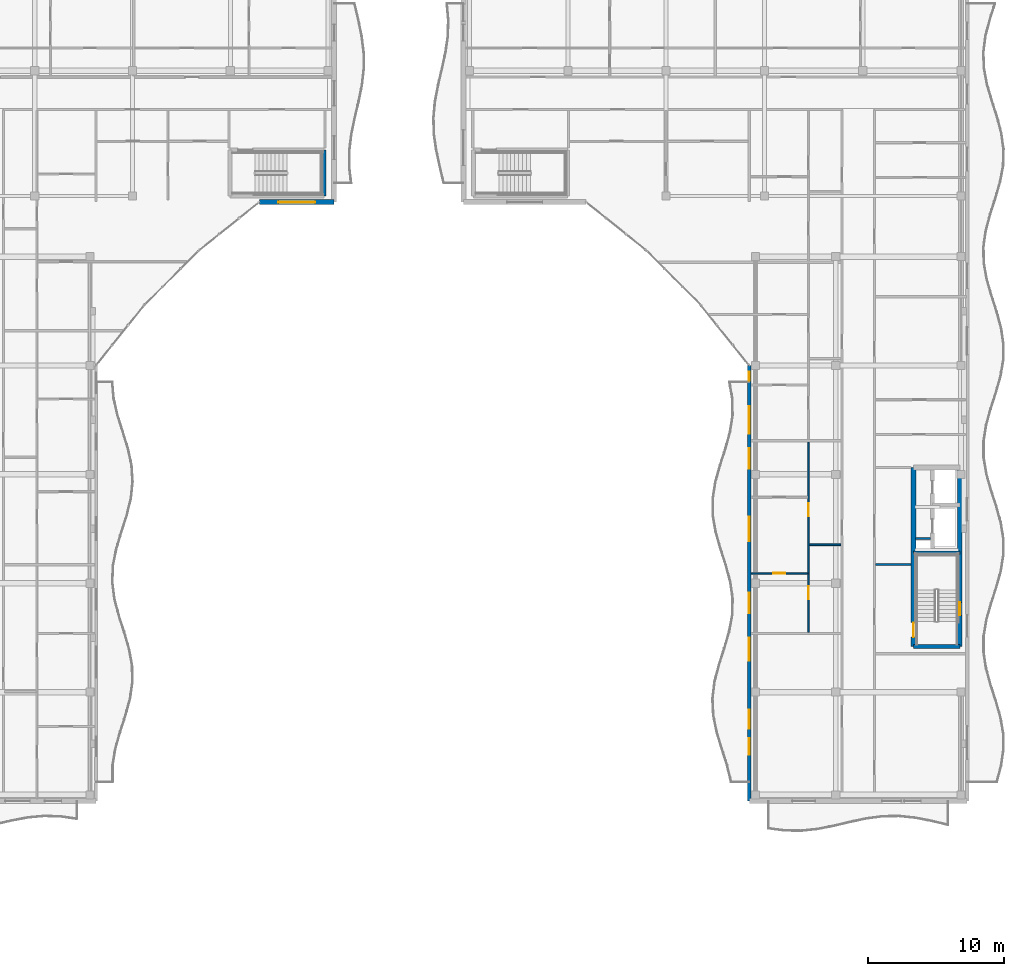
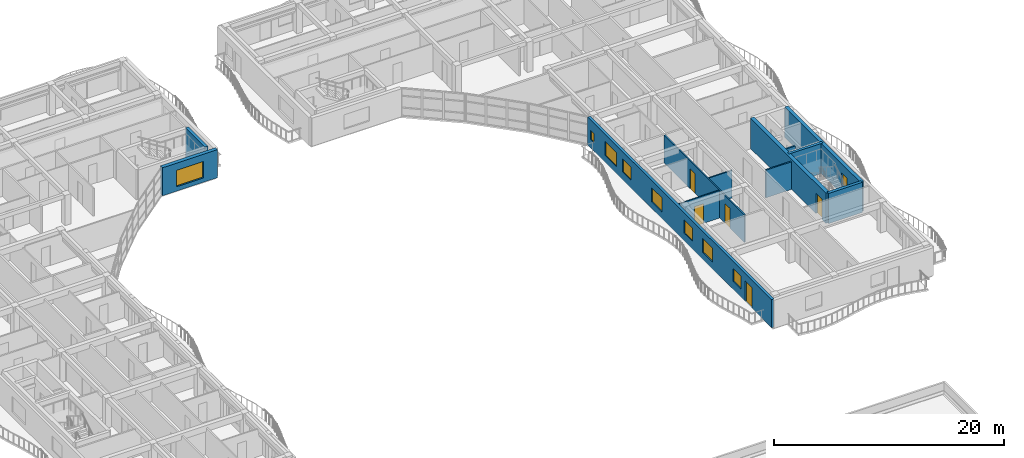
# One storey, part 50 of 79: 12 walls, 9 windows, 5 doors, 14 openings.
"""IFC4 building model written with IfcOpenShell, lengths in metres."""

from ifc_helpers import new_model, si_unit, direction, frame, frame_2d, origin, place, context, subcontext, project, spatial, rectangle, extrude, material, layer, layer_set, type_object, element, fill, save


model = new_model("IFC4")

# Units and contexts
model_context = context("Model", 3, precision=1e-05, world=origin(), true_north=direction((0.0, 1.0)))
body_context = subcontext(model_context, "Body", "Model", "MODEL_VIEW")
ifc_project = project(units=[si_unit("LENGTHUNIT", "METRE"), si_unit("AREAUNIT", "SQUARE_METRE"), si_unit("VOLUMEUNIT", "CUBIC_METRE"), si_unit("PLANEANGLEUNIT", "RADIAN"), si_unit("MASSUNIT", "GRAM", prefix="KILO")], contexts=[model_context])

# Site, building, storey
site_placement = place(None, origin())
site = spatial("IfcSite", under=ifc_project, at=site_placement, CompositionType="ELEMENT")
building_placement = place(site_placement, origin())
building = spatial("IfcBuilding", under=site, at=building_placement, Name="Keldmere Railside Commons", CompositionType="ELEMENT")
storey_placement = place(building_placement, frame((0.0, 0.0, 10.56005859375)))
storey = spatial("IfcBuildingStorey", under=building, at=storey_placement, Name="L03", CompositionType="ELEMENT", Elevation=10.56005859375)

# Wall, openings, doors
ifc_material_1 = material(Name="Acoustic Gypsum Board Partition", Category="gypsum")
ifc_layer_1 = layer(ifc_material_1, 0.1201171875, Name="Apartment Interior Partition 120")
ifc_layer_set_1 = layer_set([ifc_layer_1], Name="Acoustic Gypsum Board Partition")
wall_type_1 = type_object("IfcWallType", Name="Apartment Interior Partition 120", PredefinedType="PARTITIONING", material=ifc_layer_set_1)
wall_1_placement = place(storey_placement, frame((172.340087890625, 68.39990234375, 0.0), z_axis=(0.0, 0.0, 1.0), x_axis=(0.0, 1.0, 0.0)))
wall_1 = element("IfcWall", 1, at=wall_1_placement, inside=storey, type_object=wall_type_1, Name="IW-4 IW-L03-1520", PredefinedType="PARTITIONING", context=body_context, shape_type="SweptSolid", body=[
    extrude(rectangle(XDim=13.97021484375, YDim=0.1201171875, at=frame_2d((6.985107421875, 0.0))), origin(), (0.0, 0.0, 1.0), 2.93505859375),
])
opening_1_placement = place(wall_1_placement, frame((2.443359375, 0.0, 0.0)))
opening_1 = element("IfcOpeningElement", 2, at=opening_1_placement, cuts=wall_1, Name="Opening ID-05", PredefinedType="OPENING", context=body_context, shape_type="SweptSolid", body=[
    extrude(rectangle(XDim=0.93994140625, YDim=2.10009765625, at=frame_2d((0.469970703125, 1.050048828125))), frame((0.0, 0.070068359375, 0.0), z_axis=(0.0, -1.0, 0.0), x_axis=(1.0, 0.0, 0.0)), (0.0, 0.0, 1.0), 0.14013671875),
])
opening_2_placement = place(wall_1_placement, frame((8.541259765625, 0.0, 0.0)))
opening_2 = element("IfcOpeningElement", 3, at=opening_2_placement, cuts=wall_1, Name="Opening ID-03", PredefinedType="OPENING", context=body_context, shape_type="SweptSolid", body=[
    extrude(rectangle(XDim=0.919921875, YDim=2.10009765625, at=frame_2d((0.4599609375, 1.050048828125))), frame((0.0, 0.070068359375, 0.0), z_axis=(0.0, -1.0, 0.0), x_axis=(1.0, 0.0, 0.0)), (0.0, 0.0, 1.0), 0.14013671875),
])
ifc_material_2 = material(Name="Engineered Oak Timber", Category="wood")
door_type_1 = type_object("IfcDoorType", Name="Accessible Bathroom Door 940x2100", OperationType="NOTDEFINED", PredefinedType="DOOR", material=ifc_material_2)
door_1_placement = place(opening_1_placement, origin())
door_1 = element("IfcDoor", 4, at=door_1_placement, inside=storey, type_object=door_type_1, Name="ID-05 IDR-L03-1363", OperationType="SINGLE_SWING_LEFT", OverallHeight=2.10009765625, OverallWidth=0.93994140625, PredefinedType="DOOR", context=body_context, shape_type="SweptSolid", body=[
    extrude(rectangle(XDim=0.93994140625, YDim=2.10009765625, at=frame_2d((0.469970703125, 1.050048828125))), frame((0.0, 0.02490234375, 0.0), z_axis=(0.0, -1.0, 0.0), x_axis=(1.0, 0.0, 0.0)), (0.0, 0.0, 1.0), 0.050048828125),
])
fill(opening_1, door_1)
door_type_2 = type_object("IfcDoorType", Name="Kitchen Pocket-Frame Swing Door 920x2100", OperationType="NOTDEFINED", PredefinedType="DOOR", material=ifc_material_2)
door_2_placement = place(opening_2_placement, origin())
door_2 = element("IfcDoor", 5, at=door_2_placement, inside=storey, type_object=door_type_2, Name="ID-03 IDR-L03-1364", OperationType="SINGLE_SWING_RIGHT", OverallHeight=2.10009765625, OverallWidth=0.919921875, PredefinedType="DOOR", context=body_context, shape_type="SweptSolid", body=[
    extrude(rectangle(XDim=0.919921875, YDim=2.10009765625, at=frame_2d((0.4599609375, 1.050048828125))), frame((0.0, 0.02490234375, 0.0), z_axis=(0.0, -1.0, 0.0), x_axis=(1.0, 0.0, 0.0)), (0.0, 0.0, 1.0), 0.050048828125),
])
fill(opening_2, door_2)

# Wall, opening, door
wall_2_placement = place(storey_placement, frame((168.1298828125, 72.72998046875, 0.0), z_axis=(0.0, 0.0, 1.0), x_axis=(1.0, 0.0, 0.0)))
wall_2 = element("IfcWall", 6, at=wall_2_placement, inside=storey, type_object=wall_type_1, Name="IW-4 IW-L03-1522", PredefinedType="PARTITIONING", context=body_context, shape_type="SweptSolid", body=[
    extrude(rectangle(XDim=4.150146484375, YDim=0.1201171875, at=frame_2d((2.0751953125, 0.0))), origin(), (0.0, 0.0, 1.0), 2.93505859375),
])
opening_3_placement = place(wall_2_placement, frame((1.625, 0.0, 0.0)))
opening_3 = element("IfcOpeningElement", 7, at=opening_3_placement, cuts=wall_2, Name="Opening ID-01", PredefinedType="OPENING", context=body_context, shape_type="SweptSolid", body=[
    extrude(rectangle(XDim=0.89990234375, YDim=2.10009765625, at=frame_2d((0.449951171875, 1.050048828125))), frame((0.0, 0.070068359375, 0.0), z_axis=(0.0, -1.0, 0.0), x_axis=(1.0, 0.0, 0.0)), (0.0, 0.0, 1.0), 0.14013671875),
])
door_type_3 = type_object("IfcDoorType", Name="Primary Bedroom Door 900x2100", OperationType="NOTDEFINED", PredefinedType="DOOR", material=ifc_material_2)
door_3_placement = place(opening_3_placement, origin())
door_3 = element("IfcDoor", 8, at=door_3_placement, inside=storey, type_object=door_type_3, Name="ID-01 IDR-L03-1366", OperationType="SINGLE_SWING_RIGHT", OverallHeight=2.10009765625, OverallWidth=0.89990234375, PredefinedType="DOOR", context=body_context, shape_type="SweptSolid", body=[
    extrude(rectangle(XDim=0.89990234375, YDim=2.10009765625, at=frame_2d((0.449951171875, 1.050048828125))), frame((0.0, 0.02490234375, 0.0), z_axis=(0.0, -1.0, 0.0), x_axis=(1.0, 0.0, 0.0)), (0.0, 0.0, 1.0), 0.050048828125),
])
fill(opening_3, door_3)

# Wall
ifc_material_3 = material(Name="Concrete H-35 (C35/45)", Category="concrete")
ifc_layer_2 = layer(ifc_material_3, 0.280029296875, Name="Core Shear Wall 280")
ifc_layer_set_2 = layer_set([ifc_layer_2], Name="Concrete H-35 (C35/45)")
wall_type_2 = type_object("IfcWallType", Name="Core Shear Wall 280", PredefinedType="SHEAR", material=ifc_layer_set_2)
wall_3_placement = place(storey_placement, frame((180.06005859375, 74.239990234375, 0.0), z_axis=(0.0, 0.0, 1.0), x_axis=(1.0, 0.0, 0.0)))
element("IfcWall", 9, at=wall_3_placement, inside=storey, type_object=wall_type_2, Name="CSW-2 COREAM-L03-0748", PredefinedType="SHEAR", context=body_context, shape_type="SweptSolid", body=[
    extrude(rectangle(XDim=3.409912109375, YDim=0.280029296875, at=frame_2d((1.705078125, 0.0))), origin(), (0.0, 0.0, 1.0), 3.199951171875),
])

# Wall, opening, door
ifc_material_4 = material(Name="Concrete H-40 (C40/50)", Category="concrete")
ifc_layer_3 = layer(ifc_material_4, 0.3798828125, Name="Core Shear Wall 380")
ifc_layer_set_3 = layer_set([ifc_layer_3], Name="Concrete H-40 (C40/50)")
wall_type_3 = type_object("IfcWallType", Name="Core Shear Wall 380", PredefinedType="SHEAR", material=ifc_layer_set_3)
wall_4_placement = place(storey_placement, frame((180.06005859375, 67.35009765625, 0.0), z_axis=(0.0, 0.0, 1.0), x_axis=(0.0, 1.0, 0.0)))
wall_4 = element("IfcWall", 10, at=wall_4_placement, inside=storey, type_object=wall_type_3, Name="CW-CORE COREAW-L03-0744", PredefinedType="SHEAR", context=body_context, shape_type="SweptSolid", body=[
    extrude(rectangle(XDim=13.14990234375, YDim=0.3798828125, at=frame_2d((6.574951171875, 0.0))), origin(), (0.0, 0.0, 1.0), 3.199951171875),
])
opening_4_placement = place(wall_4_placement, frame((0.699951171875, 0.0, 0.0)))
opening_4 = element("IfcOpeningElement", 11, at=opening_4_placement, cuts=wall_4, Name="Opening FD-1", PredefinedType="OPENING", context=body_context, shape_type="SweptSolid", body=[
    extrude(rectangle(XDim=1.050048828125, YDim=2.14990234375, at=frame_2d((0.52490234375, 1.074951171875))), frame((0.0, 0.199951171875, 0.0), z_axis=(0.0, -1.0, 0.0), x_axis=(1.0, 0.0, 0.0)), (0.0, 0.0, 1.0), 0.39990234375),
])
ifc_material_5 = material(Name="Steel F-24 (S235)", Category="steel")
door_type_4 = type_object("IfcDoorType", Name="Stair Core Fire Door 1050x2150", OperationType="NOTDEFINED", PredefinedType="DOOR", material=ifc_material_5)
door_4_placement = place(opening_4_placement, origin())
door_4 = element("IfcDoor", 12, at=door_4_placement, inside=storey, type_object=door_type_4, Name="FD-1 A1 L03", OperationType="SINGLE_SWING_LEFT", OverallHeight=2.14990234375, OverallWidth=1.050048828125, PredefinedType="DOOR", context=body_context, shape_type="SweptSolid", body=[
    extrude(rectangle(XDim=1.050048828125, YDim=2.14990234375, at=frame_2d((0.52490234375, 1.074951171875))), frame((0.0, 0.02490234375, 0.0), z_axis=(0.0, -1.0, 0.0), x_axis=(1.0, 0.0, 0.0)), (0.0, 0.0, 1.0), 0.050048828125),
])
fill(opening_4, door_4)

# Wall, opening, window
ifc_layer_4 = layer(ifc_material_3, 0.360107421875, Name="Exterior Shear Wall 360")
ifc_layer_set_4 = layer_set([ifc_layer_4], Name="Concrete H-35 (C35/45)")
wall_type_4 = type_object("IfcWallType", Name="Exterior Shear Wall 360", PredefinedType="SHEAR", material=ifc_layer_set_4)
wall_5_placement = place(storey_placement, frame((137.5, 100.0, 0.0), z_axis=(0.0, 0.0, 1.0), x_axis=(-1.0, 0.0, 0.0)))
wall_5 = element("IfcWall", 13, at=wall_5_placement, inside=storey, type_object=wall_type_4, Name="ESW-1 EXTB-L03-0604", PredefinedType="SHEAR", context=body_context, shape_type="SweptSolid", body=[
    extrude(rectangle(XDim=5.5, YDim=0.360107421875, at=frame_2d((2.75, 0.0))), origin(), (0.0, 0.0, 1.0), 2.97998046875),
])
opening_5_placement = place(wall_5_placement, frame((1.39990234375, 0.0, 0.469970703125)))
opening_5 = element("IfcOpeningElement", 14, at=opening_5_placement, cuts=wall_5, Name="Opening WN-19", PredefinedType="OPENING", context=body_context, shape_type="SweptSolid", body=[
    extrude(rectangle(XDim=2.699951171875, YDim=1.75, at=frame_2d((1.35009765625, 0.875))), frame((0.0, 0.18994140625, 0.0), z_axis=(0.0, -1.0, 0.0), x_axis=(1.0, 0.0, 0.0)), (0.0, 0.0, 1.0), 0.380126953125),
])
ifc_material_6 = material(Name="Low-E Insulated Double Glazing", Category="glass")
window_type_1 = type_object("IfcWindowType", Name="Resident Lounge Panorama Window 2700x1750", PartitioningType="SINGLE_PANEL", PredefinedType="WINDOW", material=ifc_material_6)
window_1_placement = place(opening_5_placement, origin())
window_1 = element("IfcWindow", 15, at=window_1_placement, inside=storey, type_object=window_type_1, Name="WN-19 WIN-L03-0405", OverallHeight=1.75, OverallWidth=2.699951171875, PartitioningType="SINGLE_PANEL", PredefinedType="WINDOW", context=body_context, shape_type="SweptSolid", body=[
    extrude(rectangle(XDim=2.699951171875, YDim=1.75, at=frame_2d((1.35009765625, 0.875))), frame((0.0, 0.030029296875, 0.0), z_axis=(0.0, -1.0, 0.0), x_axis=(1.0, 0.0, 0.0)), (0.0, 0.0, 1.0), 0.06005859375),
])
fill(opening_5, window_1)

# Walls
ifc_layer_5 = layer(ifc_material_3, 0.300048828125, Name="Interior Shear Wall 300")
ifc_layer_set_5 = layer_set([ifc_layer_5], Name="Concrete H-35 (C35/45)")
wall_type_5 = type_object("IfcWallType", Name="Interior Shear Wall 300", PredefinedType="SHEAR", material=ifc_layer_set_5)
wall_6_placement = place(storey_placement, frame((136.75, 100.449951171875, 0.0), z_axis=(0.0, 0.0, 1.0), x_axis=(0.0, 1.0, 0.0)))
element("IfcWall", 16, at=wall_6_placement, inside=storey, type_object=wall_type_5, Name="ISW-2 COREB2E-L03-0479", PredefinedType="SHEAR", context=body_context, shape_type="SweptSolid", body=[
    extrude(rectangle(XDim=3.3701171875, YDim=0.300048828125, at=frame_2d((1.68505859375, 0.0))), origin(), (0.0, 0.0, 1.0), 3.199951171875),
])
wall_7_placement = place(storey_placement, frame((183.469970703125, 67.35009765625, 0.0), z_axis=(0.0, 0.0, 1.0), x_axis=(-1.0, 0.0, 0.0)))
element("IfcWall", 17, at=wall_7_placement, inside=storey, type_object=wall_type_5, Name="ISW-2 COREAS-L03-0747", PredefinedType="SHEAR", context=body_context, shape_type="SweptSolid", body=[
    extrude(rectangle(XDim=3.409912109375, YDim=0.300048828125, at=frame_2d((1.705078125, 0.0))), origin(), (0.0, 0.0, 1.0), 3.199951171875),
])

# Wall, opening, window
ifc_layer_6 = layer(ifc_material_3, 0.340087890625, Name="Interior Shear Wall 340")
ifc_layer_set_6 = layer_set([ifc_layer_6], Name="Concrete H-35 (C35/45)")
wall_type_6 = type_object("IfcWallType", Name="Interior Shear Wall 340", PredefinedType="SHEAR", material=ifc_layer_set_6)
wall_8_placement = place(storey_placement, frame((183.469970703125, 80.5, 0.0), z_axis=(0.0, 0.0, 1.0), x_axis=(0.0, -1.0, 0.0)))
wall_8 = element("IfcWall", 18, at=wall_8_placement, inside=storey, type_object=wall_type_6, Name="ISW-1 COREAE-L03-0746", PredefinedType="SHEAR", context=body_context, shape_type="SweptSolid", body=[
    extrude(rectangle(XDim=13.14990234375, YDim=0.340087890625, at=frame_2d((6.574951171875, 0.0))), origin(), (0.0, 0.0, 1.0), 3.199951171875),
])
opening_6_placement = place(wall_8_placement, frame((9.89990234375, 0.0, 0.969970703125)))
opening_6 = element("IfcOpeningElement", 19, at=opening_6_placement, cuts=wall_8, Name="Opening WN-17", PredefinedType="OPENING", context=body_context, shape_type="SweptSolid", body=[
    extrude(rectangle(XDim=0.949951171875, YDim=1.25, at=frame_2d((0.47509765625, 0.625))), frame((0.0, 0.179931640625, 0.0), z_axis=(0.0, -1.0, 0.0), x_axis=(1.0, 0.0, 0.0)), (0.0, 0.0, 1.0), 0.360107421875),
])
window_type_2 = type_object("IfcWindowType", Name="Stair Core Natural Smoke-Vent Window 950x1250", PartitioningType="SINGLE_PANEL", PredefinedType="WINDOW", material=ifc_material_6)
window_2_placement = place(opening_6_placement, origin())
window_2 = element("IfcWindow", 20, at=window_2_placement, inside=storey, type_object=window_type_2, Name="WN-17 WIN-L03-0559", OverallHeight=1.25, OverallWidth=0.949951171875, PartitioningType="SINGLE_PANEL", PredefinedType="WINDOW", context=body_context, shape_type="SweptSolid", body=[
    extrude(rectangle(XDim=0.949951171875, YDim=1.25, at=frame_2d((0.47509765625, 0.625))), frame((0.0, 0.030029296875, 0.0), z_axis=(0.0, -1.0, 0.0), x_axis=(1.0, 0.0, 0.0)), (0.0, 0.0, 1.0), 0.06005859375),
])
fill(opening_6, window_2)

# Walls
ifc_layer_7 = layer(ifc_material_1, 0.14990234375, Name="Lobby Rated Partition 150")
ifc_layer_set_7 = layer_set([ifc_layer_7], Name="Acoustic Gypsum Board Partition")
wall_type_7 = type_object("IfcWallType", Name="Lobby Rated Partition 150", PredefinedType="PARTITIONING", material=ifc_layer_set_7)
wall_9_placement = place(storey_placement, frame((180.199951171875, 75.280029296875, 0.0), z_axis=(0.0, 0.0, 1.0), x_axis=(1.0, 0.0, 0.0)))
element("IfcWall", 21, at=wall_9_placement, inside=storey, type_object=wall_type_7, Name="IW-3 RSRNA-L03-0751", PredefinedType="PARTITIONING", context=body_context, shape_type="SweptSolid", body=[
    extrude(rectangle(XDim=1.130126953125, YDim=0.14990234375, at=frame_2d((0.56494140625, 0.0))), origin(), (0.0, 0.0, 1.0), 2.949951171875),
])
wall_10_placement = place(storey_placement, frame((177.280029296875, 73.3798828125, 0.0), z_axis=(0.0, 0.0, 1.0), x_axis=(1.0, 0.0, 0.0)))
element("IfcWall", 22, at=wall_10_placement, inside=storey, type_object=wall_type_7, Name="IW-3 IW-L03-1507", PredefinedType="PARTITIONING", context=body_context, shape_type="SweptSolid", body=[
    extrude(rectangle(XDim=2.590087890625, YDim=0.14990234375, at=frame_2d((1.294921875, 0.0))), origin(), (0.0, 0.0, 1.0), 2.93505859375),
])

# Wall, openings, door, windows
ifc_material_7 = material(Name="Terracotta Brick Masonry", Category="masonry")
ifc_layer_8 = layer(ifc_material_7, 0.260009765625, Name="Terracotta Cavity Wall 260")
ifc_layer_set_8 = layer_set([ifc_layer_8], Name="Terracotta Brick Masonry")
wall_type_8 = type_object("IfcWallType", Name="Terracotta Cavity Wall 260", PredefinedType="SOLIDWALL", material=ifc_layer_set_8)
wall_11_placement = place(storey_placement, frame((168.0, 56.0, 0.0), z_axis=(0.0, 0.0, 1.0), x_axis=(0.0, 1.0, 0.0)))
wall_11 = element("IfcWall", 23, at=wall_11_placement, inside=storey, type_object=wall_type_8, Name="EW-1 EXTA-L03-0901", PredefinedType="SOLIDWALL", context=body_context, shape_type="SweptSolid", body=[
    extrude(rectangle(XDim=32.0, YDim=0.260009765625, at=frame_2d((16.0, 0.0))), origin(), (0.0, 0.0, 1.0), 2.97998046875),
])
opening_7_placement = place(wall_11_placement, frame((3.39990234375, 0.0, 0.0)))
opening_7 = element("IfcOpeningElement", 24, at=opening_7_placement, cuts=wall_11, Name="Opening BD-01", PredefinedType="OPENING", context=body_context, shape_type="SweptSolid", body=[
    extrude(rectangle(XDim=1.199951171875, YDim=2.199951171875, at=frame_2d((0.60009765625, 1.10009765625))), frame((0.0, 0.139892578125, 0.0), z_axis=(0.0, -1.0, 0.0), x_axis=(1.0, 0.0, 0.0)), (0.0, 0.0, 1.0), 0.280029296875),
])
opening_8_placement = place(wall_11_placement, frame((5.300048828125, 0.0, 0.8701171875)))
opening_8 = element("IfcOpeningElement", 25, at=opening_8_placement, cuts=wall_11, Name="Opening WN-08", PredefinedType="OPENING", context=body_context, shape_type="SweptSolid", body=[
    extrude(rectangle(XDim=1.39990234375, YDim=1.35009765625, at=frame_2d((0.699951171875, 0.675048828125))), frame((0.0, 0.139892578125, 0.0), z_axis=(0.0, -1.0, 0.0), x_axis=(1.0, 0.0, 0.0)), (0.0, 0.0, 1.0), 0.280029296875),
])
opening_9_placement = place(wall_11_placement, frame((10.31005859375, 0.0, 0.719970703125)))
opening_9 = element("IfcOpeningElement", 26, at=opening_9_placement, cuts=wall_11, Name="Opening WN-40", PredefinedType="OPENING", context=body_context, shape_type="SweptSolid", body=[
    extrude(rectangle(XDim=1.679931640625, YDim=1.5, at=frame_2d((0.83984375, 0.75))), frame((0.0, 0.139892578125, 0.0), z_axis=(0.0, -1.0, 0.0), x_axis=(1.0, 0.0, 0.0)), (0.0, 0.0, 1.0), 0.280029296875),
])
opening_10_placement = place(wall_11_placement, frame((19.10009765625, 0.0, 0.719970703125)))
opening_10 = element("IfcOpeningElement", 27, at=opening_10_placement, cuts=wall_11, Name="Opening WN-01", PredefinedType="OPENING", context=body_context, shape_type="SweptSolid", body=[
    extrude(rectangle(XDim=1.800048828125, YDim=1.5, at=frame_2d((0.89990234375, 0.75))), frame((0.0, 0.139892578125, 0.0), z_axis=(0.0, -1.0, 0.0), x_axis=(1.0, 0.0, 0.0)), (0.0, 0.0, 1.0), 0.280029296875),
])
opening_11_placement = place(wall_11_placement, frame((27.0, 0.0, 0.719970703125)))
opening_11 = element("IfcOpeningElement", 28, at=opening_11_placement, cuts=wall_11, Name="Opening WN-02", PredefinedType="OPENING", context=body_context, shape_type="SweptSolid", body=[
    extrude(rectangle(XDim=2.0, YDim=1.5, at=frame_2d((1.0, 0.75))), frame((0.0, 0.139892578125, 0.0), z_axis=(0.0, -1.0, 0.0), x_axis=(1.0, 0.0, 0.0)), (0.0, 0.0, 1.0), 0.280029296875),
])
opening_12_placement = place(wall_11_placement, frame((13.7900390625, 0.0, 0.820068359375)))
opening_12 = element("IfcOpeningElement", 29, at=opening_12_placement, cuts=wall_11, Name="Opening WN-06", PredefinedType="OPENING", context=body_context, shape_type="SweptSolid", body=[
    extrude(rectangle(XDim=1.5, YDim=1.39990234375, at=frame_2d((0.75, 0.699951171875))), frame((0.0, 0.139892578125, 0.0), z_axis=(0.0, -1.0, 0.0), x_axis=(1.0, 0.0, 0.0)), (0.0, 0.0, 1.0), 0.280029296875),
])
opening_13_placement = place(wall_11_placement, frame((24.429931640625, 0.0, 0.820068359375)))
opening_13 = element("IfcOpeningElement", 30, at=opening_13_placement, cuts=wall_11, Name="Opening WN-06", PredefinedType="OPENING", context=body_context, shape_type="SweptSolid", body=[
    extrude(rectangle(XDim=1.5, YDim=1.39990234375, at=frame_2d((0.75, 0.699951171875))), frame((0.0, 0.139892578125, 0.0), z_axis=(0.0, -1.0, 0.0), x_axis=(1.0, 0.0, 0.0)), (0.0, 0.0, 1.0), 0.280029296875),
])
opening_14_placement = place(wall_11_placement, frame((30.89501953125, 0.0, 0.89990234375)))
opening_14 = element("IfcOpeningElement", 31, at=opening_14_placement, cuts=wall_11, Name="Opening WN-15", PredefinedType="OPENING", context=body_context, shape_type="SweptSolid", body=[
    extrude(rectangle(XDim=0.64990234375, YDim=0.949951171875, at=frame_2d((0.324951171875, 0.47509765625))), frame((0.0, 0.139892578125, 0.0), z_axis=(0.0, -1.0, 0.0), x_axis=(1.0, 0.0, 0.0)), (0.0, 0.0, 1.0), 0.280029296875),
])
ifc_material_8 = material(Name="Thermally Broken Aluminium", Category="aluminium")
door_type_5 = type_object("IfcDoorType", Name="Apartment Living Wave-Balcony Glazed Door 1200x2200", OperationType="NOTDEFINED", PredefinedType="DOOR", material=ifc_material_8)
door_5_placement = place(opening_7_placement, origin())
door_5 = element("IfcDoor", 32, at=door_5_placement, inside=storey, type_object=door_type_5, Name="BD-01 DR-L03-0237", OperationType="SINGLE_SWING_LEFT", OverallHeight=2.199951171875, OverallWidth=1.199951171875, PredefinedType="DOOR", context=body_context, shape_type="SweptSolid", body=[
    extrude(rectangle(XDim=1.199951171875, YDim=2.199951171875, at=frame_2d((0.60009765625, 1.10009765625))), frame((0.0, 0.02490234375, 0.0), z_axis=(0.0, -1.0, 0.0), x_axis=(1.0, 0.0, 0.0)), (0.0, 0.0, 1.0), 0.050048828125),
])
fill(opening_7, door_5)
window_type_3 = type_object("IfcWindowType", Name="Exterior Bathroom Frosted Window 650x950", PartitioningType="SINGLE_PANEL", PredefinedType="WINDOW", material=ifc_material_6)
window_3_placement = place(opening_14_placement, origin())
window_3 = element("IfcWindow", 33, at=window_3_placement, inside=storey, type_object=window_type_3, Name="WN-15 WIN-L03-9027", OverallHeight=0.949951171875, OverallWidth=0.64990234375, PartitioningType="SINGLE_PANEL", PredefinedType="WINDOW", context=body_context, shape_type="SweptSolid", body=[
    extrude(rectangle(XDim=0.64990234375, YDim=0.949951171875, at=frame_2d((0.324951171875, 0.47509765625))), frame((0.0, 0.030029296875, 0.0), z_axis=(0.0, -1.0, 0.0), x_axis=(1.0, 0.0, 0.0)), (0.0, 0.0, 1.0), 0.06005859375),
])
fill(opening_14, window_3)
window_type_4 = type_object("IfcWindowType", Name="Living Room North Casement Window 1800x1500", PartitioningType="SINGLE_PANEL", PredefinedType="WINDOW", material=ifc_material_6)
window_4_placement = place(opening_10_placement, origin())
window_4 = element("IfcWindow", 34, at=window_4_placement, inside=storey, type_object=window_type_4, Name="WN-01 WIN-L03-0641", OverallHeight=1.5, OverallWidth=1.800048828125, PartitioningType="SINGLE_PANEL", PredefinedType="WINDOW", context=body_context, shape_type="SweptSolid", body=[
    extrude(rectangle(XDim=1.800048828125, YDim=1.5, at=frame_2d((0.89990234375, 0.75))), frame((0.0, 0.030029296875, 0.0), z_axis=(0.0, -1.0, 0.0), x_axis=(1.0, 0.0, 0.0)), (0.0, 0.0, 1.0), 0.06005859375),
])
fill(opening_10, window_4)
window_type_5 = type_object("IfcWindowType", Name="Living Room South Casement Window 2000x1500", PartitioningType="SINGLE_PANEL", PredefinedType="WINDOW", material=ifc_material_6)
window_5_placement = place(opening_11_placement, origin())
window_5 = element("IfcWindow", 35, at=window_5_placement, inside=storey, type_object=window_type_5, Name="WN-02 WIN-L03-0642", OverallHeight=1.5, OverallWidth=2.0, PartitioningType="SINGLE_PANEL", PredefinedType="WINDOW", context=body_context, shape_type="SweptSolid", body=[
    extrude(rectangle(XDim=2.0, YDim=1.5, at=frame_2d((1.0, 0.75))), frame((0.0, 0.030029296875, 0.0), z_axis=(0.0, -1.0, 0.0), x_axis=(1.0, 0.0, 0.0)), (0.0, 0.0, 1.0), 0.06005859375),
])
fill(opening_11, window_5)
window_type_6 = type_object("IfcWindowType", Name="Primary Bedroom East/West Window 1400x1350", PartitioningType="SINGLE_PANEL", PredefinedType="WINDOW", material=ifc_material_6)
window_6_placement = place(opening_8_placement, origin())
window_6 = element("IfcWindow", 36, at=window_6_placement, inside=storey, type_object=window_type_6, Name="WN-08 WIN-L03-0639", OverallHeight=1.35009765625, OverallWidth=1.39990234375, PartitioningType="SINGLE_PANEL", PredefinedType="WINDOW", context=body_context, shape_type="SweptSolid", body=[
    extrude(rectangle(XDim=1.39990234375, YDim=1.35009765625, at=frame_2d((0.699951171875, 0.675048828125))), frame((0.0, 0.030029296875, 0.0), z_axis=(0.0, -1.0, 0.0), x_axis=(1.0, 0.0, 0.0)), (0.0, 0.0, 1.0), 0.06005859375),
])
fill(opening_8, window_6)
window_type_7 = type_object("IfcWindowType", Name="Primary Bedroom North Window 1500x1400", PartitioningType="SINGLE_PANEL", PredefinedType="WINDOW", material=ifc_material_6)
window_7_placement = place(opening_12_placement, origin())
window_7 = element("IfcWindow", 37, at=window_7_placement, inside=storey, type_object=window_type_7, Name="WN-06 WIN-L03-9025", OverallHeight=1.39990234375, OverallWidth=1.5, PartitioningType="SINGLE_PANEL", PredefinedType="WINDOW", context=body_context, shape_type="SweptSolid", body=[
    extrude(rectangle(XDim=1.5, YDim=1.39990234375, at=frame_2d((0.75, 0.699951171875))), frame((0.0, 0.030029296875, 0.0), z_axis=(0.0, -1.0, 0.0), x_axis=(1.0, 0.0, 0.0)), (0.0, 0.0, 1.0), 0.06005859375),
])
fill(opening_12, window_7)
window_8_placement = place(opening_13_placement, origin())
window_8 = element("IfcWindow", 38, at=window_8_placement, inside=storey, type_object=window_type_7, Name="WN-06 WIN-L03-9026", OverallHeight=1.39990234375, OverallWidth=1.5, PartitioningType="SINGLE_PANEL", PredefinedType="WINDOW", context=body_context, shape_type="SweptSolid", body=[
    extrude(rectangle(XDim=1.5, YDim=1.39990234375, at=frame_2d((0.75, 0.699951171875))), frame((0.0, 0.030029296875, 0.0), z_axis=(0.0, -1.0, 0.0), x_axis=(1.0, 0.0, 0.0)), (0.0, 0.0, 1.0), 0.06005859375),
])
fill(opening_13, window_8)
window_type_8 = type_object("IfcWindowType", Name="Two-Bed Dining Casement Window 1680x1500", PartitioningType="SINGLE_PANEL", PredefinedType="WINDOW", material=ifc_material_6)
window_9_placement = place(opening_9_placement, origin())
window_9 = element("IfcWindow", 39, at=window_9_placement, inside=storey, type_object=window_type_8, Name="WN-40 WIN-L03-0640", OverallHeight=1.5, OverallWidth=1.679931640625, PartitioningType="SINGLE_PANEL", PredefinedType="WINDOW", context=body_context, shape_type="SweptSolid", body=[
    extrude(rectangle(XDim=1.679931640625, YDim=1.5, at=frame_2d((0.83984375, 0.75))), frame((0.0, 0.030029296875, 0.0), z_axis=(0.0, -1.0, 0.0), x_axis=(1.0, 0.0, 0.0)), (0.0, 0.0, 1.0), 0.06005859375),
])
fill(opening_9, window_9)

# Wall
ifc_layer_9 = layer(ifc_material_1, 0.139892578125, Name="Wet-Room Sanitary Partition 140")
ifc_layer_set_9 = layer_set([ifc_layer_9], Name="Acoustic Gypsum Board Partition")
wall_type_9 = type_object("IfcWallType", Name="Wet-Room Sanitary Partition 140", PredefinedType="PARTITIONING", material=ifc_layer_set_9)
wall_12_placement = place(storey_placement, frame((172.39990234375, 74.830078125, 0.0), z_axis=(0.0, 0.0, 1.0), x_axis=(1.0, 0.0, 0.0)))
element("IfcWall", 40, at=wall_12_placement, inside=storey, type_object=wall_type_9, Name="IW-5 IW-L03-1521", PredefinedType="PARTITIONING", context=body_context, shape_type="SweptSolid", body=[
    extrude(rectangle(XDim=2.320068359375, YDim=0.139892578125, at=frame_2d((1.16015625, 0.0))), origin(), (0.0, 0.0, 1.0), 2.93505859375),
])

save(model, "model.ifc")
